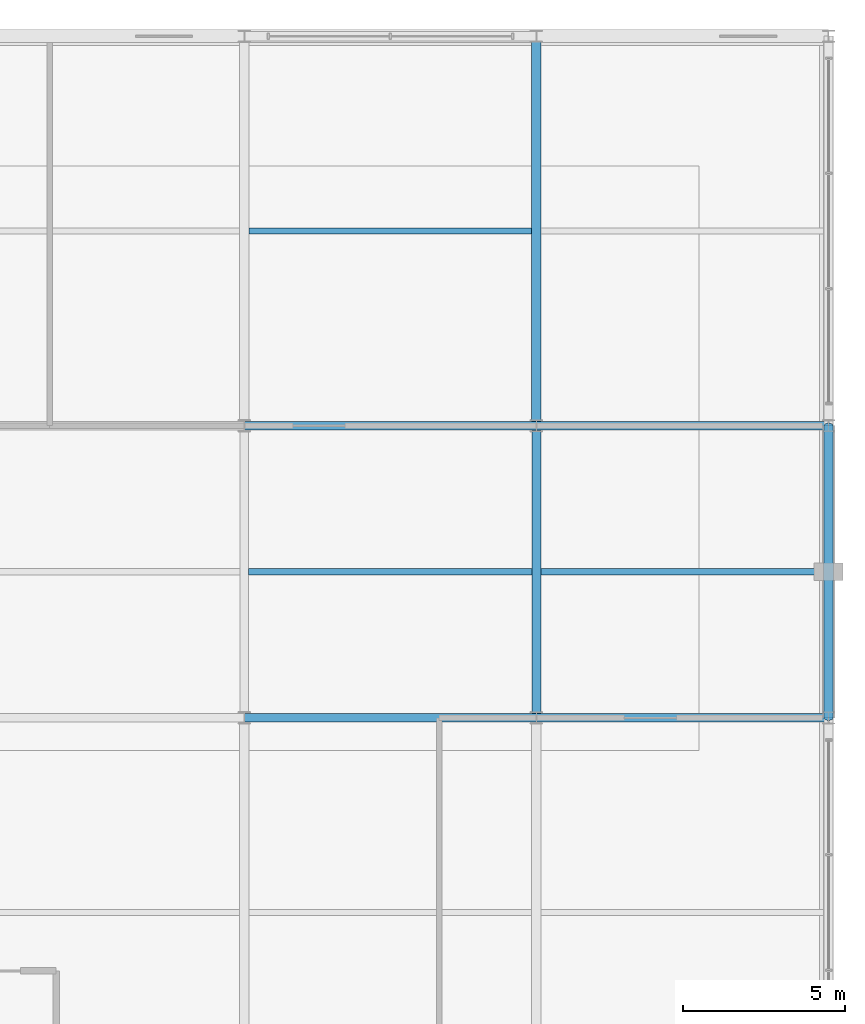
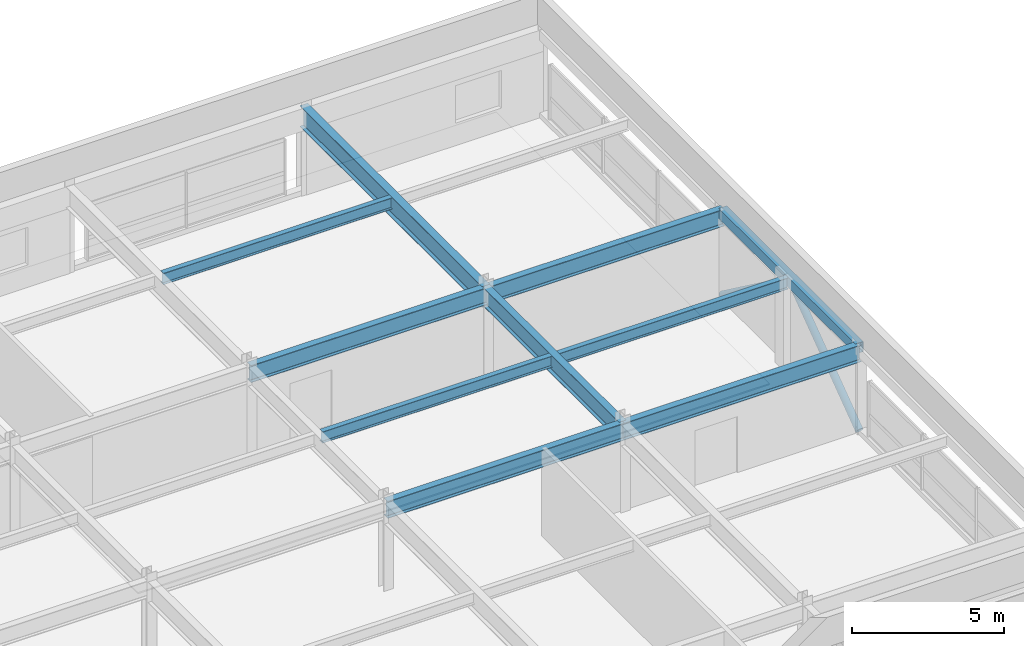
# One storey, part 81 of 108: 10 beams, 2 members.
"""IFC4 building model written with IfcOpenShell, lengths in metres."""

from ifc_helpers import new_model, si_unit, direction, frame, origin, origin_2d, place, context, subcontext, project, spatial, hollow_rectangle, hollow_circle, i_section, extrude, material, material_profile, profile_set, type_object, element, save


model = new_model("IFC4")

# Units and contexts
model_context = context("Model", 3, precision=1e-05, world=origin(), true_north=direction((0.0, 1.0)))
body_context = subcontext(model_context, "Body", "Model", "MODEL_VIEW")
ifc_project = project(units=[si_unit("LENGTHUNIT", "METRE"), si_unit("AREAUNIT", "SQUARE_METRE"), si_unit("VOLUMEUNIT", "CUBIC_METRE"), si_unit("PLANEANGLEUNIT", "RADIAN"), si_unit("MASSUNIT", "GRAM", prefix="KILO")], contexts=[model_context])

# Site, building, storey
site_placement = place(None, origin())
site = spatial("IfcSite", under=ifc_project, at=site_placement, CompositionType="ELEMENT")
building_placement = place(site_placement, origin())
building = spatial("IfcBuilding", under=site, at=building_placement, Name="Kaldorvane Square Convention Centre", CompositionType="ELEMENT")
storey_placement = place(building_placement, frame((0.0, 0.0, 23.399993896484375)))
storey = spatial("IfcBuildingStorey", under=building, at=storey_placement, Name="L04", CompositionType="ELEMENT", Elevation=23.399993896484375)

# Beams
ifc_material_1 = material(Name="Steel ASTM A992 Gr. 50", Category="steel")
ifc_material_profile_1 = material_profile(ifc_material_1, i_section(OverallWidth=0.25439453125, OverallDepth=0.6880950927734375, WebThickness=0.0131072998046875, FlangeThickness=0.0211029052734375, FilletRadius=0.01519775390625, at=origin_2d()), Name="W27X102")
ifc_profile_set_1 = profile_set([ifc_material_profile_1], Name="Steel ASTM A992 Gr. 50")
beam_type_1 = type_object("IfcBeamType", Name="BM-GR-W27X102", PredefinedType="BEAM", material=ifc_profile_set_1)
for number, where, z_axis, x_axis, name in (
    (1, (156.0, 96.0, 3.1819000244140625), (1.0, 0.0, 0.0), (0.0, 1.0, 0.0), "Primary Girder (L04)"),
    (2, (165.0, 96.0, 3.1819000244140625), (1.0, 0.0, 0.0), (0.0, 1.0, 0.0), "Primary Girder (L04)"),
    (3, (156.0, 105.0, 3.1819000244140625), (1.0, 0.0, 0.0), (0.0, 1.0, 0.0), "Primary Girder (L04)"),
    (4, (165.0, 105.0, 3.1819000244140625), (1.0, 0.0, 0.0), (0.0, 1.0, 0.0), "Primary Girder (L04)"),
):
    element("IfcBeam", number, at=place(storey_placement, frame(where, z_axis=z_axis, x_axis=x_axis)), inside=storey, type_object=beam_type_1, Name=name, PredefinedType="BEAM", context=body_context, shape_type="SweptSolid", body=[
        extrude(i_section(OverallWidth=0.25439453125, OverallDepth=0.6880950927734375, WebThickness=0.0131072998046875, FlangeThickness=0.0211029052734375, FilletRadius=0.01519775390625, at=origin_2d()), origin(), (0.0, 0.0, 1.0), 9.0),
    ])
ifc_material_profile_2 = material_profile(ifc_material_1, i_section(OverallWidth=0.2666015625, OverallDepth=0.762298583984375, WebThickness=0.014404296875, FlangeThickness=0.0216064453125, FilletRadius=0.0164947509765625, at=origin_2d()), Name="W30X116")
ifc_profile_set_2 = profile_set([ifc_material_profile_2], Name="Steel ASTM A992 Gr. 50")
beam_type_2 = type_object("IfcBeamType", Name="BM-GR-W30X116", PredefinedType="BEAM", material=ifc_profile_set_2)
beam_1_placement = place(storey_placement, frame((165.0, 96.0, 3.144805908203125), z_axis=(0.0, 1.0, 0.0), x_axis=(-1.0, 0.0, 0.0)))
element("IfcBeam", 5, at=beam_1_placement, inside=storey, type_object=beam_type_2, Name="Transverse Girder (L04)", PredefinedType="BEAM", context=body_context, shape_type="SweptSolid", body=[
    extrude(i_section(OverallWidth=0.2666015625, OverallDepth=0.762298583984375, WebThickness=0.014404296875, FlangeThickness=0.0216064453125, FilletRadius=0.0164947509765625, at=origin_2d()), origin(), (0.0, 0.0, 1.0), 9.0),
])
ifc_material_profile_3 = material_profile(ifc_material_1, i_section(OverallWidth=0.292999267578125, OverallDepth=0.845794677734375, WebThickness=0.0153961181640625, FlangeThickness=0.0243988037109375, FilletRadius=0.0178070068359375, at=origin_2d()), Name="W33X141")
ifc_profile_set_3 = profile_set([ifc_material_profile_3], Name="Steel ASTM A992 Gr. 50")
beam_type_3 = type_object("IfcBeamType", Name="BM-GR-W33X141", PredefinedType="BEAM", material=ifc_profile_set_3)
beam_2_placement = place(storey_placement, frame((165.0, 105.0, 3.1031036376953125), z_axis=(0.0, 1.0, 0.0), x_axis=(-1.0, 0.0, 0.0)))
element("IfcBeam", 6, at=beam_2_placement, inside=storey, type_object=beam_type_3, Name="Transverse Girder (L04)", PredefinedType="BEAM", context=body_context, shape_type="SweptSolid", body=[
    extrude(i_section(OverallWidth=0.292999267578125, OverallDepth=0.845794677734375, WebThickness=0.0153961181640625, FlangeThickness=0.0243988037109375, FilletRadius=0.0178070068359375, at=origin_2d()), origin(), (0.0, 0.0, 1.0), 12.0),
])
ifc_material_profile_4 = material_profile(ifc_material_1, i_section(OverallWidth=0.1912994384765625, OverallDepth=0.4600067138671875, WebThickness=0.0099029541015625, FlangeThickness=0.0160064697265625, FilletRadius=0.01019287109375, at=origin_2d()), Name="W18X55")
ifc_profile_set_4 = profile_set([ifc_material_profile_4], Name="Steel ASTM A992 Gr. 50")
beam_type_4 = type_object("IfcBeamType", Name="BM-JS-W18X55", PredefinedType="JOIST", material=ifc_profile_set_4)
beam_3_placement = place(storey_placement, frame((156.13330078125, 100.5, 3.2960052490234375), z_axis=(1.0, 0.0, 0.0), x_axis=(0.0, 1.0, 0.0)))
element("IfcBeam", 7, at=beam_3_placement, inside=storey, type_object=beam_type_4, Name="Secondary Floor Joist (L04)", PredefinedType="JOIST", context=body_context, shape_type="SweptSolid", body=[
    extrude(i_section(OverallWidth=0.1912994384765625, OverallDepth=0.4600067138671875, WebThickness=0.0099029541015625, FlangeThickness=0.0160064697265625, FilletRadius=0.01019287109375, at=origin_2d()), origin(), (0.0, 0.0, 1.0), 8.7333984375),
])
beam_4_placement = place(storey_placement, frame((165.13330078125, 100.5, 3.2960052490234375), z_axis=(1.0, 0.0, 0.0), x_axis=(0.0, 1.0, 0.0)))
element("IfcBeam", 8, at=beam_4_placement, inside=storey, type_object=beam_type_4, Name="Secondary Floor Joist (L04)", PredefinedType="JOIST", context=body_context, shape_type="SweptSolid", body=[
    extrude(i_section(OverallWidth=0.1912994384765625, OverallDepth=0.4600067138671875, WebThickness=0.0099029541015625, FlangeThickness=0.0160064697265625, FilletRadius=0.01019287109375, at=origin_2d()), origin(), (0.0, 0.0, 1.0), 8.71429443359375),
])
beam_5_placement = place(storey_placement, frame((156.14649963378906, 111.0, 3.2960052490234375), z_axis=(1.0, 0.0, 0.0), x_axis=(0.0, 1.0, 0.0)))
element("IfcBeam", 9, at=beam_5_placement, inside=storey, type_object=beam_type_4, Name="Secondary Floor Joist (L04)", PredefinedType="JOIST", context=body_context, shape_type="SweptSolid", body=[
    extrude(i_section(OverallWidth=0.1912994384765625, OverallDepth=0.4600067138671875, WebThickness=0.0099029541015625, FlangeThickness=0.0160064697265625, FilletRadius=0.01019287109375, at=origin_2d()), origin(), (0.0, 0.0, 1.0), 8.707000732421875),
])
ifc_material_2 = material(Name="Steel ASTM A500 Gr. C", Category="steel")
ifc_material_profile_5 = material_profile(ifc_material_2, hollow_rectangle(XDim=0.3047943115234375, YDim=0.406402587890625, WallThickness=0.0117950439453125, at=origin_2d()), Name="HSS16X12X1/2")
ifc_profile_set_5 = profile_set([ifc_material_profile_5], Name="Steel ASTM A500 Gr. C")
beam_type_5 = type_object("IfcBeamType", Name="BM-SP-HSS16", PredefinedType="SPANDREL", material=ifc_profile_set_5)
beam_6_placement = place(storey_placement, frame((174.0, 96.0, 3.3227996826171875), z_axis=(0.0, 1.0, 0.0), x_axis=(-1.0, 0.0, 0.0)))
element("IfcBeam", 10, at=beam_6_placement, inside=storey, type_object=beam_type_5, Name="End Spandrel (L04)", PredefinedType="SPANDREL", context=body_context, shape_type="SweptSolid", body=[
    extrude(hollow_rectangle(XDim=0.3047943115234375, YDim=0.406402587890625, WallThickness=0.0117950439453125, at=origin_2d()), origin(), (0.0, 0.0, 1.0), 9.0),
])

# Members
ifc_material_profile_6 = material_profile(ifc_material_2, hollow_circle(Radius=0.1365509033203125, WallThickness=0.0117950439453125, at=origin_2d()), Name="HSS10.750X0.500")
ifc_profile_set_6 = profile_set([ifc_material_profile_6], Name="Steel ASTM A500 Gr. C")
member_type = type_object("IfcMemberType", Name="MB-BR-CHS10", PredefinedType="BRACE", material=ifc_profile_set_6)
for number, where, z_axis, x_axis, name in (
    (11, (174.0, 96.0, 0.0), (0.0, 0.804456950309, 0.59401095537), (-1.0, 0.0, 0.0), "Seismic Chevron Brace X174-B2A (L04)"),
    (12, (174.0, 105.0, 0.0), (0.0, -0.804456950309, 0.59401095537), (1.0, 0.0, 0.0), "Seismic Chevron Brace X174-B2B (L04)"),
):
    element("IfcMember", number, at=place(storey_placement, frame(where, z_axis=z_axis, x_axis=x_axis)), inside=storey, type_object=member_type, Name=name, PredefinedType="BRACE", context=body_context, shape_type="SweptSolid", body=[
        extrude(hollow_circle(Radius=0.1365509033203125, WallThickness=0.0117950439453125, at=origin_2d()), origin(), (0.0, 0.0, 1.0), 5.593841552734375),
    ])

save(model, "model.ifc")
